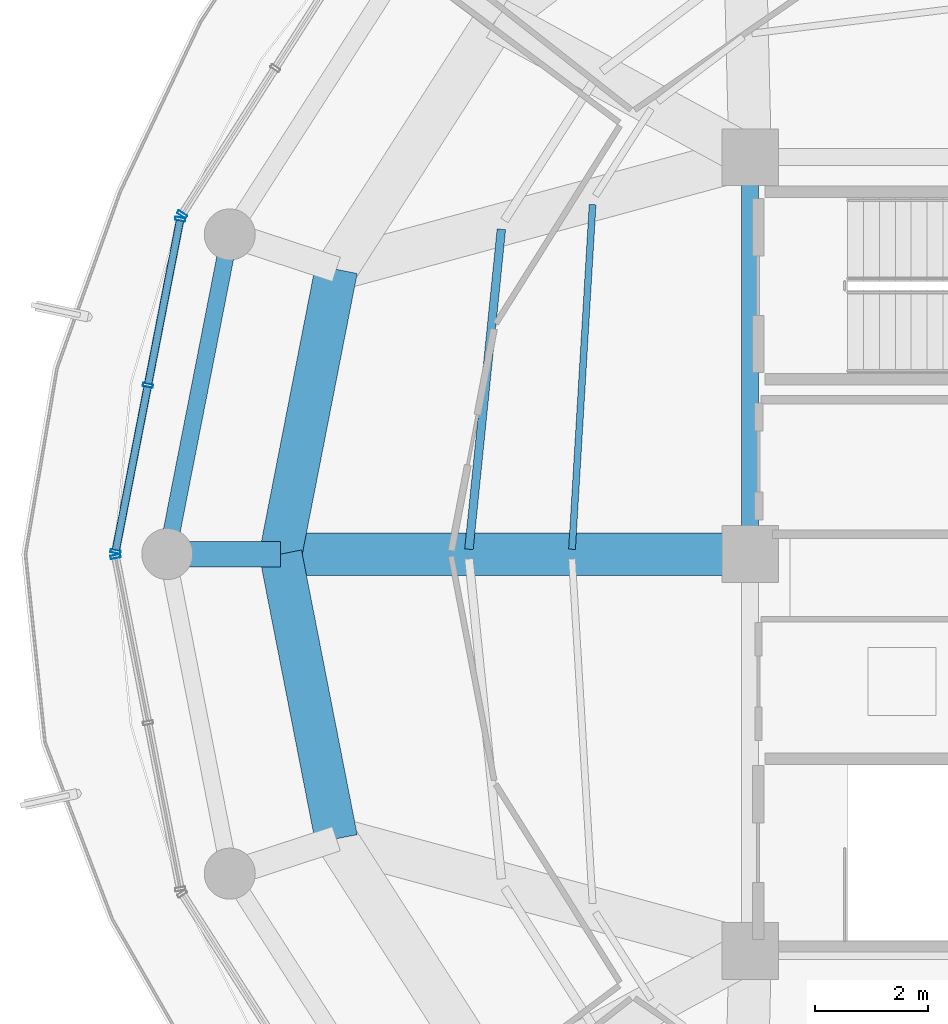
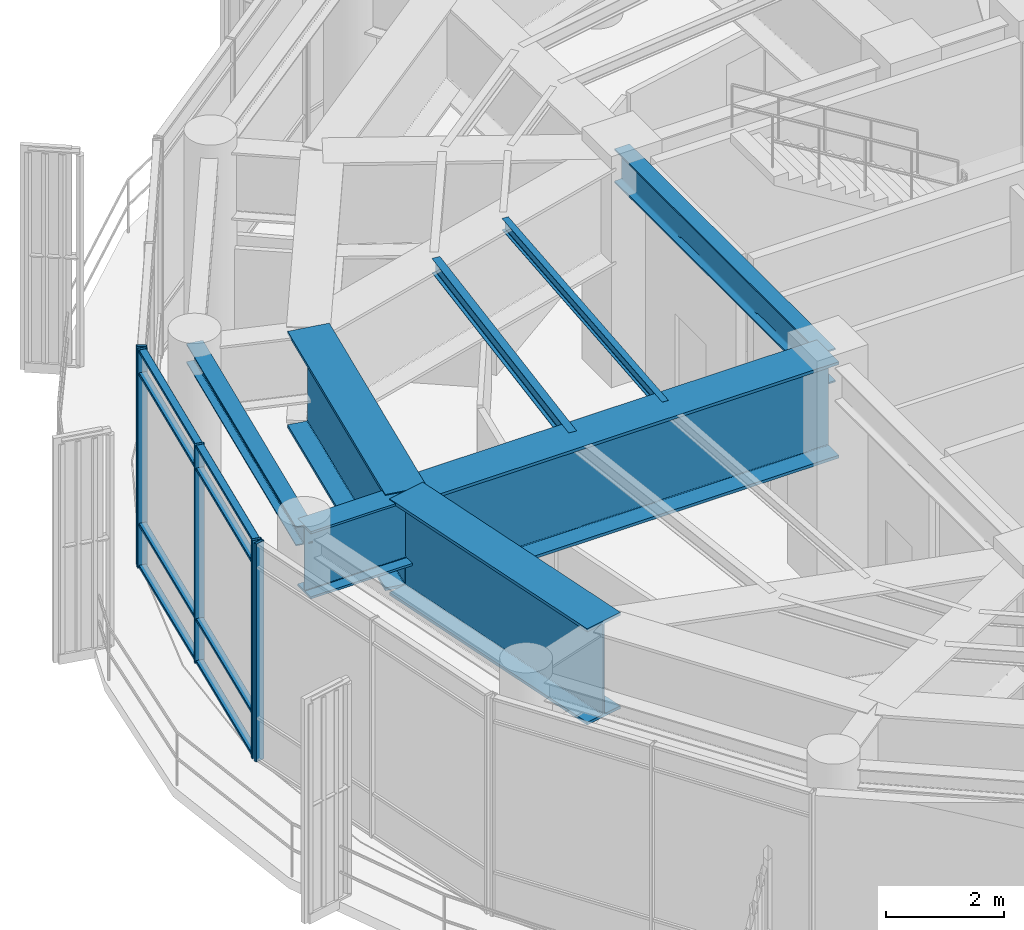
# One storey, part 7 of 23: 13 members, 8 beams, 3 elements without a shape of their own.
"""IFC4 building model written with IfcOpenShell, lengths in metres."""

from ifc_helpers import new_model, si_unit, direction, frame, origin, origin_2d, place, context, subcontext, project, spatial, hollow_rectangle, i_section, extrude, material, layer, layer_set, material_profile, profile_set, type_object, element, aggregate, save


model = new_model("IFC4")

# Units and contexts
model_context = context("Model", 3, precision=1e-05, world=origin(), true_north=direction((0.0, 1.0)))
body_context = subcontext(model_context, "Body", "Model", "MODEL_VIEW")
ifc_project = project(units=[si_unit("LENGTHUNIT", "METRE"), si_unit("AREAUNIT", "SQUARE_METRE"), si_unit("VOLUMEUNIT", "CUBIC_METRE"), si_unit("PLANEANGLEUNIT", "RADIAN"), si_unit("MASSUNIT", "GRAM", prefix="KILO")], contexts=[model_context])

# Site, building, storey
site_placement = place(None, origin())
site = spatial("IfcSite", under=ifc_project, at=site_placement, CompositionType="ELEMENT")
building_placement = place(site_placement, origin())
building = spatial("IfcBuilding", under=site, at=building_placement, Name="Kelanora Arch Commons", CompositionType="ELEMENT")
storey_placement = place(building_placement, frame((0.0, 0.0, 293.699951171875)))
storey = spatial("IfcBuildingStorey", under=building, at=storey_placement, Name="L75", CompositionType="ELEMENT", Elevation=293.699951171875)

# Beams
ifc_material_1 = material(Name="Steel S355", Category="steel")
ifc_material_profile_1 = material_profile(ifc_material_1, i_section(OverallWidth=0.300048828125, OverallDepth=0.699951171875, WebThickness=0.01708984375, FlangeThickness=0.031982421875, FilletRadius=0.027099609375, at=origin_2d()), Name="HEB700")
ifc_profile_set_1 = profile_set([ifc_material_profile_1], Name="Steel S355")
beam_type_1 = type_object("IfcBeamType", Name="BM-CORE-HDR", PredefinedType="BEAM", material=ifc_profile_set_1)
beam_1_placement = place(storey_placement, frame((66.0, 65.0, 4.18994140625), z_axis=(0.0, -1.0, 0.0), x_axis=(1.0, 0.0, 0.0)))
element("IfcBeam", 1, at=beam_1_placement, inside=storey, type_object=beam_type_1, Name="Core Header Beam 08 L75", PredefinedType="BEAM", context=body_context, shape_type="SweptSolid", body=[
    extrude(i_section(OverallWidth=0.300048828125, OverallDepth=0.699951171875, WebThickness=0.01708984375, FlangeThickness=0.031982421875, FilletRadius=0.027099609375, at=origin_2d()), origin(), (0.0, 0.0, 1.0), 7.0),
])
ifc_material_profile_2 = material_profile(ifc_material_1, i_section(OverallWidth=0.14990234375, OverallDepth=0.300048828125, WebThickness=0.007080078125, FlangeThickness=0.0107421875, FilletRadius=0.014892578125, at=origin_2d()), Name="IPE300")
ifc_profile_set_2 = profile_set([ifc_material_profile_2], Name="Steel S355")
beam_type_2 = type_object("IfcBeamType", Name="BM-JST-01", PredefinedType="JOIST", material=ifc_profile_set_2)
beam_2_placement = place(storey_placement, frame((61.612548828125, 63.72802734375, 4.39013671875), z_axis=(-0.100846008885, -0.994902046682, 0.0), x_axis=(0.994902046682, -0.100846008885, 0.0)))
element("IfcBeam", 2, at=beam_2_placement, inside=storey, type_object=beam_type_2, Name="Secondary Chord Joist BJB-16 L75", PredefinedType="JOIST", context=body_context, shape_type="SweptSolid", body=[
    extrude(i_section(OverallWidth=0.14990234375, OverallDepth=0.300048828125, WebThickness=0.007080078125, FlangeThickness=0.0107421875, FilletRadius=0.014892578125, at=origin_2d()), origin(), (0.0, 0.0, 1.0), 5.672119140625),
])
ifc_material_profile_3 = material_profile(ifc_material_1, i_section(OverallWidth=0.1201171875, OverallDepth=0.239990234375, WebThickness=0.006103515625, FlangeThickness=0.009765625, FilletRadius=0.014892578125, at=origin_2d()), Name="IPE240")
ifc_profile_set_3 = profile_set([ifc_material_profile_3], Name="Steel S355")
beam_type_3 = type_object("IfcBeamType", Name="BM-JST-02", PredefinedType="JOIST", material=ifc_profile_set_3)
beam_3_placement = place(storey_placement, frame((63.2216796875, 64.1630859375, 4.420166015625), z_axis=(-0.059619828045, -0.998221155909, 0.0), x_axis=(0.998221155909, -0.059619828045, 0.0)))
element("IfcBeam", 3, at=beam_3_placement, inside=storey, type_object=beam_type_3, Name="Secondary Chord Joist BJA-16 L75", PredefinedType="JOIST", context=body_context, shape_type="SweptSolid", body=[
    extrude(i_section(OverallWidth=0.1201171875, OverallDepth=0.239990234375, WebThickness=0.006103515625, FlangeThickness=0.009765625, FilletRadius=0.014892578125, at=origin_2d()), origin(), (0.0, 0.0, 1.0), 6.089111328125),
])
ifc_material_profile_4 = material_profile(ifc_material_1, i_section(OverallWidth=0.449951171875, OverallDepth=1.39990234375, WebThickness=0.028076171875, FlangeThickness=0.044921875, FilletRadius=0.02392578125, at=origin_2d()), Name="PG1400x450")
ifc_profile_set_4 = profile_set([ifc_material_profile_4], Name="Steel S355")
beam_type_4 = type_object("IfcBeamType", Name="BM-MAST-GRIL", PredefinedType="USERDEFINED", material=ifc_profile_set_4)
beam_4_placement = place(storey_placement, frame((57.719970703125, 58.0, 3.820068359375), z_axis=(-1.0, 0.0, 0.0), x_axis=(0.0, -1.0, 0.0)))
element("IfcBeam", 4, at=beam_4_placement, inside=storey, type_object=beam_type_4, Name="Radial Floor Girder BR-18 L75", ObjectType="TRANSFER_GIRDER", PredefinedType="USERDEFINED", context=body_context, shape_type="SweptSolid", body=[
    extrude(i_section(OverallWidth=0.449951171875, OverallDepth=1.39990234375, WebThickness=0.028076171875, FlangeThickness=0.044921875, FilletRadius=0.02392578125, at=origin_2d()), origin(), (0.0, 0.0, 1.0), 2.0),
])
ifc_material_profile_5 = material_profile(ifc_material_1, i_section(OverallWidth=0.300048828125, OverallDepth=0.39990234375, WebThickness=0.013427734375, FlangeThickness=0.02392578125, FilletRadius=0.027099609375, at=origin_2d()), Name="HEB400")
ifc_profile_set_5 = profile_set([ifc_material_profile_5], Name="Steel S355")
beam_type_5 = type_object("IfcBeamType", Name="BM-SPN-Z4", PredefinedType="SPANDREL", material=ifc_profile_set_5)
beam_5_placement = place(storey_placement, frame((56.822509765625, 63.636474609375, 4.320068359375), z_axis=(-0.191969774604, -0.981400838413, 0.0), x_axis=(0.981400838413, -0.191969774604, 0.0)))
element("IfcBeam", 5, at=beam_5_placement, inside=storey, type_object=beam_type_5, Name="Perimeter Spandrel Beam BS-16 L75", PredefinedType="SPANDREL", context=body_context, shape_type="SweptSolid", body=[
    extrude(i_section(OverallWidth=0.300048828125, OverallDepth=0.39990234375, WebThickness=0.013427734375, FlangeThickness=0.02392578125, FilletRadius=0.027099609375, at=origin_2d()), origin(), (0.0, 0.0, 1.0), 5.743408203125),
])
ifc_material_profile_6 = material_profile(ifc_material_1, i_section(OverallWidth=0.75, OverallDepth=2.0, WebThickness=0.034912109375, FlangeThickness=0.06005859375, FilletRadius=0.028076171875, at=origin_2d()), Name="PG2000x750")
ifc_profile_set_6 = profile_set([ifc_material_profile_6], Name="Steel S355")
beam_type_6 = type_object("IfcBeamType", Name="BM-XFER-SET", PredefinedType="USERDEFINED", material=ifc_profile_set_6)
beam_6_placement = place(storey_placement, frame((66.0, 58.0, 3.5400390625), z_axis=(-1.0, 0.0, 0.0), x_axis=(0.0, -1.0, 0.0)))
element("IfcBeam", 6, at=beam_6_placement, inside=storey, type_object=beam_type_6, Name="Setback Radial Transfer Girder BRI-18 L75", ObjectType="TRANSFER_GIRDER", PredefinedType="USERDEFINED", context=body_context, shape_type="SweptSolid", body=[
    extrude(i_section(OverallWidth=0.75, OverallDepth=2.0, WebThickness=0.034912109375, FlangeThickness=0.06005859375, FilletRadius=0.028076171875, at=origin_2d()), origin(), (0.0, 0.0, 1.0), 8.280029296875),
])
for number, where, z_axis, x_axis, name in (
    (7, (58.701904296875, 63.02099609375, 3.5400390625), (-0.191929675955, -0.981408681176, 0.0), (0.981408681176, -0.191929675955, 0.0), "Setback Inner Transfer Ring BSI-16 L75"),
    (8, (57.719970703125, 58.0, 3.5400390625), (0.191929675955, -0.981408681176, 0.0), (0.981408681176, 0.191929675955, 0.0), "Setback Inner Transfer Ring BSI-18 L75"),
):
    element("IfcBeam", number, at=place(storey_placement, frame(where, z_axis=z_axis, x_axis=x_axis)), inside=storey, type_object=beam_type_6, Name=name, ObjectType="TRANSFER_GIRDER", PredefinedType="USERDEFINED", context=body_context, shape_type="SweptSolid", body=[
        extrude(i_section(OverallWidth=0.75, OverallDepth=2.0, WebThickness=0.034912109375, FlangeThickness=0.06005859375, FilletRadius=0.028076171875, at=origin_2d()), origin(), (0.0, 0.0, 1.0), 5.1162109375),
    ])

# Curtain wall, member
ifc_material_2 = material(Name="Terracotta ceramic-fritted low-E glass and aluminium", Category="masonry")
ifc_layer = layer(ifc_material_2, 0.22509765625)
ifc_layer_set = layer_set([ifc_layer], Name="Terracotta ceramic-fritted low-E glass and aluminium")
curtain_wall_type = type_object("IfcCurtainWallType", Name="CW-SYS-05", PredefinedType="NOTDEFINED", material=ifc_layer_set)
curtain_wall_1_placement = place(storey_placement, origin())
curtain_wall_1 = element("IfcCurtainWall", 9, at=curtain_wall_1_placement, inside=storey, type_object=curtain_wall_type, Name="Unitised Curtain Wall L75-B07", PredefinedType="NOTDEFINED")
ifc_material_3 = material(Name="Powder-coated aluminium terracotta", Category="masonry")
ifc_material_profile_7 = material_profile(ifc_material_3, hollow_rectangle(XDim=0.179931640625, YDim=0.06005859375, WallThickness=0.0048828125, InnerFilletRadius=0.0048828125, OuterFilletRadius=0.010009765625, at=origin_2d()), Name="CWM180x60")
ifc_profile_set_7 = profile_set([ifc_material_profile_7], Name="Powder-coated aluminium terracotta")
member_type_1 = type_object("IfcMemberType", Name="CWM-HVY", PredefinedType="MULLION", material=ifc_profile_set_7)
member_1_placement = place(storey_placement, frame((55.982177734375, 63.9892578125, 0.0), z_axis=(0.0, 0.0, 1.0), x_axis=(0.843391314545, -0.537299814397, 0.0)))
member_1 = element("IfcMember", 10, at=member_1_placement, type_object=member_type_1, Name="CW-05 mullion 3", PredefinedType="MULLION", context=body_context, shape_type="SweptSolid", body=[
    extrude(hollow_rectangle(XDim=0.179931640625, YDim=0.06005859375, WallThickness=0.0048828125, InnerFilletRadius=0.0048828125, OuterFilletRadius=0.010009765625, at=origin_2d()), origin(), (0.0, 0.0, 1.0), 4.525146484375),
])
aggregate(curtain_wall_1, [member_1])

# Curtain wall, members
curtain_wall_2_placement = place(storey_placement, origin())
curtain_wall_2 = element("IfcCurtainWall", 11, at=curtain_wall_2_placement, inside=storey, type_object=curtain_wall_type, Name="Unitised Curtain Wall L75-B08", PredefinedType="NOTDEFINED")
member_2_placement = place(storey_placement, frame((55.94921875, 63.906982421875, 0.0), z_axis=(0.0, 0.0, 1.0), x_axis=(0.981595542501, -0.190971701941, 0.0)))
member_2 = element("IfcMember", 12, at=member_2_placement, type_object=member_type_1, Name="CW-05 mullion 1", PredefinedType="MULLION", context=body_context, shape_type="SweptSolid", body=[
    extrude(hollow_rectangle(XDim=0.179931640625, YDim=0.06005859375, WallThickness=0.0048828125, InnerFilletRadius=0.0048828125, OuterFilletRadius=0.010009765625, at=origin_2d()), origin(), (0.0, 0.0, 1.0), 4.525146484375),
])
member_3_placement = place(storey_placement, frame((55.37890625, 60.9755859375, 0.0), z_axis=(0.0, 0.0, 1.0), x_axis=(0.981595542501, -0.190971701941, 0.0)))
member_3 = element("IfcMember", 13, at=member_3_placement, type_object=member_type_1, Name="CW-05 mullion 2", PredefinedType="MULLION", context=body_context, shape_type="SweptSolid", body=[
    extrude(hollow_rectangle(XDim=0.179931640625, YDim=0.06005859375, WallThickness=0.0048828125, InnerFilletRadius=0.0048828125, OuterFilletRadius=0.010009765625, at=origin_2d()), origin(), (0.0, 0.0, 1.0), 4.525146484375),
])
member_4_placement = place(storey_placement, frame((54.80859375, 58.044189453125, 0.0), z_axis=(0.0, 0.0, 1.0), x_axis=(0.981595542501, -0.190971701941, 0.0)))
member_4 = element("IfcMember", 14, at=member_4_placement, type_object=member_type_1, Name="CW-05 mullion 3", PredefinedType="MULLION", context=body_context, shape_type="SweptSolid", body=[
    extrude(hollow_rectangle(XDim=0.179931640625, YDim=0.06005859375, WallThickness=0.0048828125, InnerFilletRadius=0.0048828125, OuterFilletRadius=0.010009765625, at=origin_2d()), origin(), (0.0, 0.0, 1.0), 4.525146484375),
])

# Curtain wall, member
curtain_wall_3_placement = place(storey_placement, origin())
curtain_wall_3 = element("IfcCurtainWall", 15, at=curtain_wall_3_placement, inside=storey, type_object=curtain_wall_type, Name="Unitised Curtain Wall L75-B09", PredefinedType="NOTDEFINED")
member_5_placement = place(storey_placement, frame((54.80859375, 57.955810546875, 0.0), z_axis=(0.0, 0.0, 1.0), x_axis=(0.981595542501, 0.190971701941, 0.0)))
member_5 = element("IfcMember", 16, at=member_5_placement, type_object=member_type_1, Name="CW-05 mullion 1", PredefinedType="MULLION", context=body_context, shape_type="SweptSolid", body=[
    extrude(hollow_rectangle(XDim=0.179931640625, YDim=0.06005859375, WallThickness=0.0048828125, InnerFilletRadius=0.0048828125, OuterFilletRadius=0.010009765625, at=origin_2d()), origin(), (0.0, 0.0, 1.0), 4.525146484375),
])
aggregate(curtain_wall_3, [member_5])

# Member
ifc_material_profile_8 = material_profile(ifc_material_3, hollow_rectangle(XDim=0.139892578125, YDim=0.06005859375, WallThickness=0.0048828125, InnerFilletRadius=0.0048828125, OuterFilletRadius=0.010009765625, at=origin_2d()), Name="CWT140x60")
ifc_profile_set_8 = profile_set([ifc_material_profile_8], Name="Powder-coated aluminium terracotta")
member_type_2 = type_object("IfcMemberType", Name="CWT-HVY", PredefinedType="USERDEFINED", material=ifc_profile_set_8)
member_6_placement = place(storey_placement, frame((55.943603515625, 63.877685546875, 0.030029296875), z_axis=(-0.190963443354, -0.981597149192, 0.0), x_axis=(0.981597149192, -0.190963443354, 0.0)))
member_6 = element("IfcMember", 17, at=member_6_placement, type_object=member_type_2, Name="CW-05 transom 1.1", ObjectType="TRANSOM", PredefinedType="USERDEFINED", context=body_context, shape_type="SweptSolid", body=[
    extrude(hollow_rectangle(XDim=0.139892578125, YDim=0.06005859375, WallThickness=0.0048828125, InnerFilletRadius=0.0048828125, OuterFilletRadius=0.010009765625, at=origin_2d()), origin(), (0.0, 0.0, 1.0), 2.926513671875),
])

member_7_placement = place(storey_placement, frame((55.943603515625, 63.877685546875, 0.900146484375), z_axis=(-0.190963443354, -0.981597149192, 0.0), x_axis=(0.981597149192, -0.190963443354, 0.0)))
member_7 = element("IfcMember", 18, at=member_7_placement, type_object=member_type_2, Name="CW-05 transom 1.2", ObjectType="TRANSOM", PredefinedType="USERDEFINED", context=body_context, shape_type="SweptSolid", body=[
    extrude(hollow_rectangle(XDim=0.139892578125, YDim=0.06005859375, WallThickness=0.0048828125, InnerFilletRadius=0.0048828125, OuterFilletRadius=0.010009765625, at=origin_2d()), origin(), (0.0, 0.0, 1.0), 2.926513671875),
])

member_8_placement = place(storey_placement, frame((55.943603515625, 63.877685546875, 4.025146484375), z_axis=(-0.190963443354, -0.981597149192, 0.0), x_axis=(0.981597149192, -0.190963443354, 0.0)))
member_8 = element("IfcMember", 19, at=member_8_placement, type_object=member_type_2, Name="CW-05 transom 1.3", ObjectType="TRANSOM", PredefinedType="USERDEFINED", context=body_context, shape_type="SweptSolid", body=[
    extrude(hollow_rectangle(XDim=0.139892578125, YDim=0.06005859375, WallThickness=0.0048828125, InnerFilletRadius=0.0048828125, OuterFilletRadius=0.010009765625, at=origin_2d()), origin(), (0.0, 0.0, 1.0), 2.926513671875),
])

member_9_placement = place(storey_placement, frame((55.943603515625, 63.877685546875, 4.4951171875), z_axis=(-0.190963443354, -0.981597149192, 0.0), x_axis=(0.981597149192, -0.190963443354, 0.0)))
member_9 = element("IfcMember", 20, at=member_9_placement, type_object=member_type_2, Name="CW-05 transom 1.4", ObjectType="TRANSOM", PredefinedType="USERDEFINED", context=body_context, shape_type="SweptSolid", body=[
    extrude(hollow_rectangle(XDim=0.139892578125, YDim=0.06005859375, WallThickness=0.0048828125, InnerFilletRadius=0.0048828125, OuterFilletRadius=0.010009765625, at=origin_2d()), origin(), (0.0, 0.0, 1.0), 2.926513671875),
])

member_10_placement = place(storey_placement, frame((55.373291015625, 60.946044921875, 0.030029296875), z_axis=(-0.190963443354, -0.981597149192, 0.0), x_axis=(0.981597149192, -0.190963443354, 0.0)))
member_10 = element("IfcMember", 21, at=member_10_placement, type_object=member_type_2, Name="CW-05 transom 2.1", ObjectType="TRANSOM", PredefinedType="USERDEFINED", context=body_context, shape_type="SweptSolid", body=[
    extrude(hollow_rectangle(XDim=0.139892578125, YDim=0.06005859375, WallThickness=0.0048828125, InnerFilletRadius=0.0048828125, OuterFilletRadius=0.010009765625, at=origin_2d()), origin(), (0.0, 0.0, 1.0), 2.926513671875),
])

member_11_placement = place(storey_placement, frame((55.373291015625, 60.946044921875, 0.900146484375), z_axis=(-0.190963443354, -0.981597149192, 0.0), x_axis=(0.981597149192, -0.190963443354, 0.0)))
member_11 = element("IfcMember", 22, at=member_11_placement, type_object=member_type_2, Name="CW-05 transom 2.2", ObjectType="TRANSOM", PredefinedType="USERDEFINED", context=body_context, shape_type="SweptSolid", body=[
    extrude(hollow_rectangle(XDim=0.139892578125, YDim=0.06005859375, WallThickness=0.0048828125, InnerFilletRadius=0.0048828125, OuterFilletRadius=0.010009765625, at=origin_2d()), origin(), (0.0, 0.0, 1.0), 2.926513671875),
])

member_12_placement = place(storey_placement, frame((55.373291015625, 60.946044921875, 4.025146484375), z_axis=(-0.190963443354, -0.981597149192, 0.0), x_axis=(0.981597149192, -0.190963443354, 0.0)))
member_12 = element("IfcMember", 23, at=member_12_placement, type_object=member_type_2, Name="CW-05 transom 2.3", ObjectType="TRANSOM", PredefinedType="USERDEFINED", context=body_context, shape_type="SweptSolid", body=[
    extrude(hollow_rectangle(XDim=0.139892578125, YDim=0.06005859375, WallThickness=0.0048828125, InnerFilletRadius=0.0048828125, OuterFilletRadius=0.010009765625, at=origin_2d()), origin(), (0.0, 0.0, 1.0), 2.926513671875),
])

member_13_placement = place(storey_placement, frame((55.373291015625, 60.946044921875, 4.4951171875), z_axis=(-0.190963443354, -0.981597149192, 0.0), x_axis=(0.981597149192, -0.190963443354, 0.0)))
member_13 = element("IfcMember", 24, at=member_13_placement, type_object=member_type_2, Name="CW-05 transom 2.4", ObjectType="TRANSOM", PredefinedType="USERDEFINED", context=body_context, shape_type="SweptSolid", body=[
    extrude(hollow_rectangle(XDim=0.139892578125, YDim=0.06005859375, WallThickness=0.0048828125, InnerFilletRadius=0.0048828125, OuterFilletRadius=0.010009765625, at=origin_2d()), origin(), (0.0, 0.0, 1.0), 2.926513671875),
])

aggregate(curtain_wall_2, [member_2, member_3, member_4, member_6, member_7, member_8, member_9, member_10, member_11, member_12, member_13])

save(model, "model.ifc")
